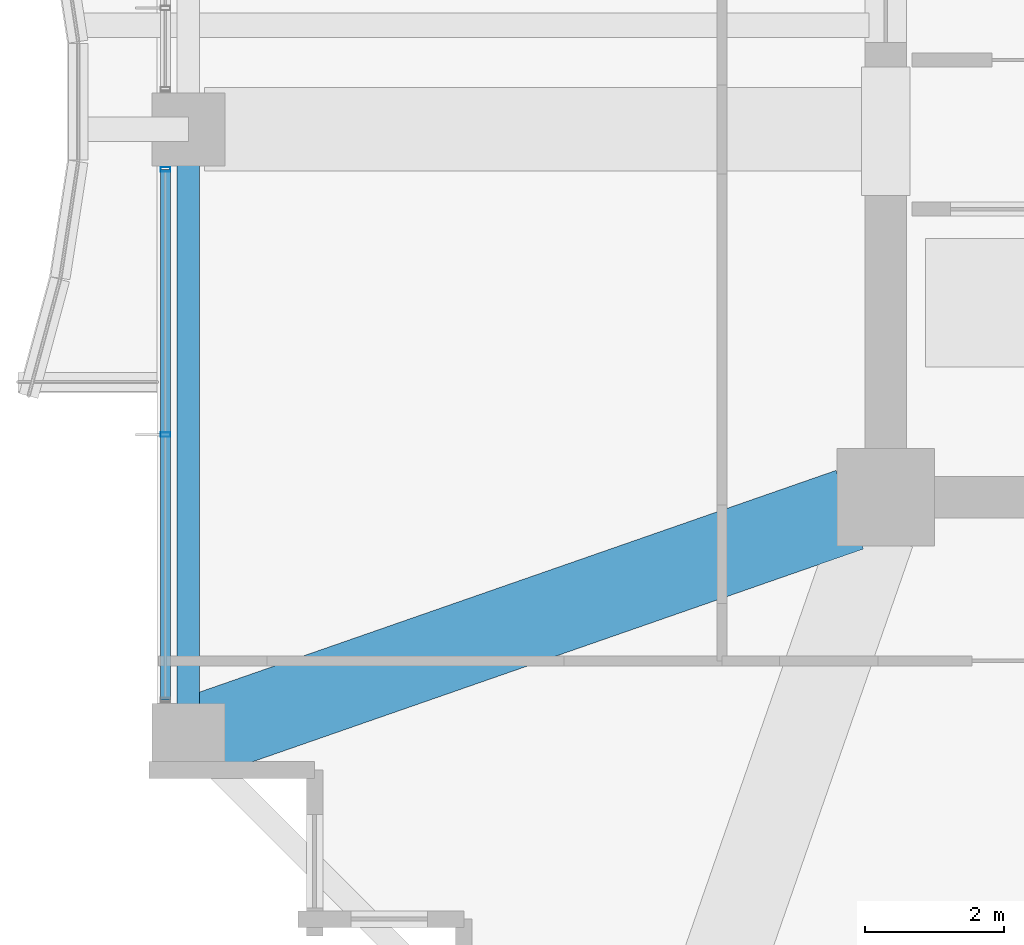
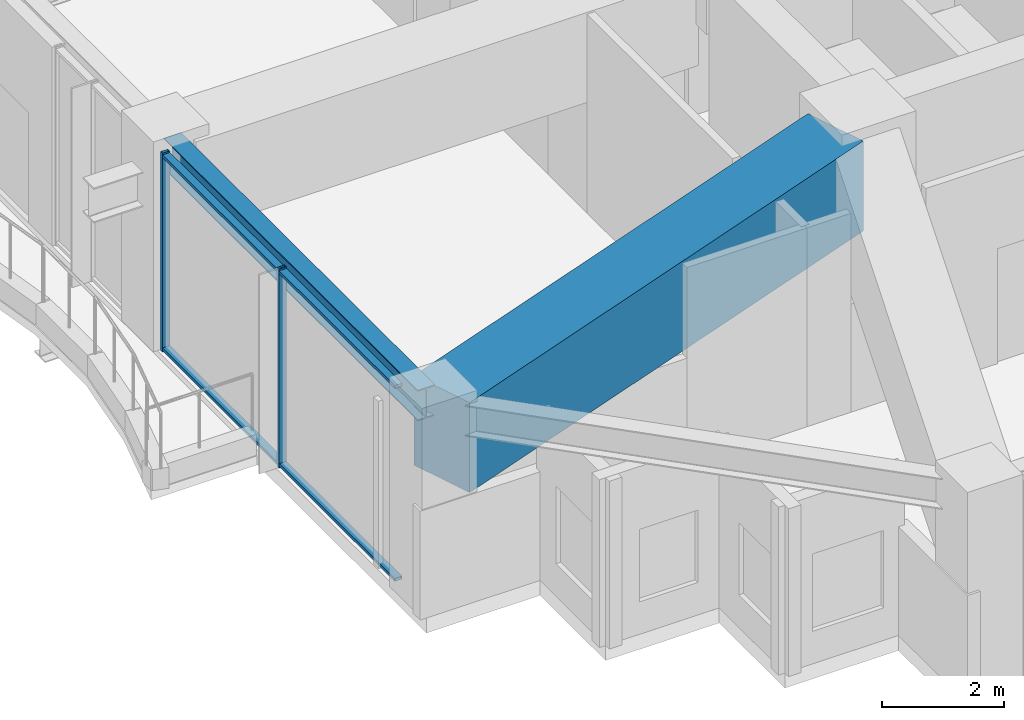
# One storey, part 4 of 40: 4 members, 2 beams, 1 element without a shape of its own.
"""IFC4 building model written with IfcOpenShell, lengths in metres."""

from ifc_helpers import new_model, si_unit, direction, frame, origin, origin_2d, place, context, subcontext, project, spatial, rectangle, hollow_rectangle, i_section, extrude, material, material_profile, profile_set, type_object, element, aggregate, save


model = new_model("IFC4")

# Units and contexts
model_context = context("Model", 3, precision=1e-05, world=origin(), true_north=direction((0.0, 1.0)))
body_context = subcontext(model_context, "Body", "Model", "MODEL_VIEW")
ifc_project = project(units=[si_unit("LENGTHUNIT", "METRE"), si_unit("AREAUNIT", "SQUARE_METRE"), si_unit("VOLUMEUNIT", "CUBIC_METRE"), si_unit("PLANEANGLEUNIT", "RADIAN"), si_unit("MASSUNIT", "GRAM", prefix="KILO")], contexts=[model_context])

# Site, building, storey
site_placement = place(None, origin())
site = spatial("IfcSite", under=ifc_project, at=site_placement, CompositionType="ELEMENT")
building_placement = place(site_placement, origin())
building = spatial("IfcBuilding", under=site, at=building_placement, Name="Kolvaren Belvedere", CompositionType="ELEMENT")
storey_placement = place(building_placement, frame((0.0, 0.0, 68.0)))
storey = spatial("IfcBuildingStorey", under=building, at=storey_placement, Name="L19", CompositionType="ELEMENT", Elevation=68.0)

# Beams
ifc_material_1 = material(Name="Structural steel ASTM A992 Grade 50", Category="steel")
ifc_material_profile_1 = material_profile(ifc_material_1, i_section(OverallWidth=0.324951171875, OverallDepth=0.615966796875, WebThickness=0.013916015625, FlangeThickness=0.021484375, FilletRadius=0.02001953125, at=origin_2d()), Name="W24X117")
ifc_profile_set_1 = profile_set([ifc_material_profile_1], Name="Structural steel ASTM A992 Grade 50")
beam_type_1 = type_object("IfcBeamType", Name="BM-SPAN-W24X117", PredefinedType="SPANDREL", material=ifc_profile_set_1)
beam_1_placement = place(storey_placement, frame((-19.949951171875, -4.836181640625, 3.672119140625), z_axis=(0.0, -1.0, 0.0), x_axis=(1.0, 0.0, 0.0)))
element("IfcBeam", 1, at=beam_1_placement, inside=storey, type_object=beam_type_1, Name="L19 Perimeter Spandrel W2-W1", PredefinedType="SPANDREL", context=body_context, shape_type="SweptSolid", body=[
    extrude(i_section(OverallWidth=0.324951171875, OverallDepth=0.615966796875, WebThickness=0.013916015625, FlangeThickness=0.021484375, FilletRadius=0.02001953125, at=origin_2d()), origin(), (0.0, 0.0, 1.0), 8.32763671875),
])
ifc_material_2 = material(Name="Concrete C50/60", Category="concrete")
ifc_material_profile_2 = material_profile(ifc_material_2, rectangle(XDim=1.199951171875, YDim=1.800048828125, at=origin_2d()), Name="RC 1200X1800")
ifc_profile_set_2 = profile_set([ifc_material_profile_2], Name="Concrete C50/60")
beam_type_2 = type_object("IfcBeamType", Name="BM-TG-1800", PredefinedType="BEAM", material=ifc_profile_set_2)
beam_2_placement = place(storey_placement, frame((-10.41943359375, -10.080810546875, 3.080078125), z_axis=(-0.944371408538, -0.328880894453, 0.0), x_axis=(0.328880894453, -0.944371408538, 0.0)))
element("IfcBeam", 2, at=beam_2_placement, inside=storey, type_object=beam_type_2, Name="L19 Corner Core-to-Perimeter Girder CC1-W1", PredefinedType="BEAM", context=body_context, shape_type="SweptSolid", body=[
    extrude(rectangle(XDim=1.199951171875, YDim=1.800048828125, at=origin_2d()), origin(), (0.0, 0.0, 1.0), 9.882080078125),
])

# Curtain wall, members
ifc_material_3 = material(Name="Anodised pale-metal aluminium AA 6063-T6", Category="aluminium")
curtain_wall_type = type_object("IfcCurtainWallType", Name="CW-Z2-MID", PredefinedType="NOTDEFINED", material=ifc_material_3)
curtain_wall_placement = place(storey_placement, origin())
curtain_wall = element("IfcCurtainWall", 3, at=curtain_wall_placement, inside=storey, type_object=curtain_wall_type, Name="L19 Unitised Curtain Wall FCW-L19-W1-B1", PredefinedType="NOTDEFINED")
ifc_material_4 = material(Name="Anodised pale-metal aluminium AA 6063-T6", Category="aluminium")
ifc_material_profile_3 = material_profile(ifc_material_4, hollow_rectangle(XDim=0.06494140625, YDim=0.139892578125, WallThickness=0.00390625, at=origin_2d()), Name="ALU-MUL-140X65")
ifc_profile_set_3 = profile_set([ifc_material_profile_3], Name="Anodised pale-metal aluminium AA 6063-T6")
member_type_1 = type_object("IfcMemberType", Name="CW-MUL-140", PredefinedType="MULLION", material=ifc_profile_set_3)
member_1_placement = place(storey_placement, frame((-20.280029296875, -9.0, 0.0), z_axis=(0.0, 0.0, 1.0), x_axis=(0.0, 1.0, 0.0)))
member_1 = element("IfcMember", 4, at=member_1_placement, type_object=member_type_1, Name="FCW-L19-W1-B1 Unitised Mullion 2", PredefinedType="MULLION", context=body_context, shape_type="SweptSolid", body=[
    extrude(hollow_rectangle(XDim=0.06494140625, YDim=0.139892578125, WallThickness=0.00390625, at=origin_2d()), origin(), (0.0, 0.0, 1.0), 3.97998046875),
])
member_2_placement = place(storey_placement, frame((-20.280029296875, -5.177490234375, 0.0), z_axis=(0.0, 0.0, 1.0), x_axis=(0.0, 1.0, 0.0)))
member_2 = element("IfcMember", 5, at=member_2_placement, type_object=member_type_1, Name="FCW-L19-W1-B1 Unitised Mullion 3", PredefinedType="MULLION", context=body_context, shape_type="SweptSolid", body=[
    extrude(hollow_rectangle(XDim=0.06494140625, YDim=0.139892578125, WallThickness=0.00390625, at=origin_2d()), origin(), (0.0, 0.0, 1.0), 3.97998046875),
])
ifc_material_5 = material(Name="Anodised pale-metal aluminium AA 6063-T6", Category="aluminium")
ifc_material_profile_4 = material_profile(ifc_material_5, hollow_rectangle(XDim=0.06005859375, YDim=0.139892578125, WallThickness=0.00390625, at=origin_2d()), Name="ALU-TRN-140X60")
ifc_profile_set_4 = profile_set([ifc_material_profile_4], Name="Anodised pale-metal aluminium AA 6063-T6")
member_type_2 = type_object("IfcMemberType", Name="CW-TRN-140", PredefinedType="USERDEFINED", material=ifc_profile_set_4)
member_3_placement = place(storey_placement, frame((-20.280029296875, -12.822509765625, 0.06005859375), z_axis=(0.0, 1.0, 0.0), x_axis=(0.0, 0.0, 1.0)))
member_3 = element("IfcMember", 6, at=member_3_placement, type_object=member_type_2, Name="FCW-L19-W1-B1 Sill Transom", ObjectType="TRANSOM", PredefinedType="USERDEFINED", context=body_context, shape_type="SweptSolid", body=[
    extrude(hollow_rectangle(XDim=0.06005859375, YDim=0.139892578125, WallThickness=0.00390625, at=origin_2d()), origin(), (0.0, 0.0, 1.0), 7.64501953125),
])
member_4_placement = place(storey_placement, frame((-20.280029296875, -12.822509765625, 3.919921875), z_axis=(0.0, 1.0, 0.0), x_axis=(0.0, 0.0, 1.0)))
member_4 = element("IfcMember", 7, at=member_4_placement, type_object=member_type_2, Name="FCW-L19-W1-B1 Head Transom", ObjectType="TRANSOM", PredefinedType="USERDEFINED", context=body_context, shape_type="SweptSolid", body=[
    extrude(hollow_rectangle(XDim=0.06005859375, YDim=0.139892578125, WallThickness=0.00390625, at=origin_2d()), origin(), (0.0, 0.0, 1.0), 7.64501953125),
])
aggregate(curtain_wall, [member_1, member_2, member_3, member_4])

save(model, "model.ifc")
